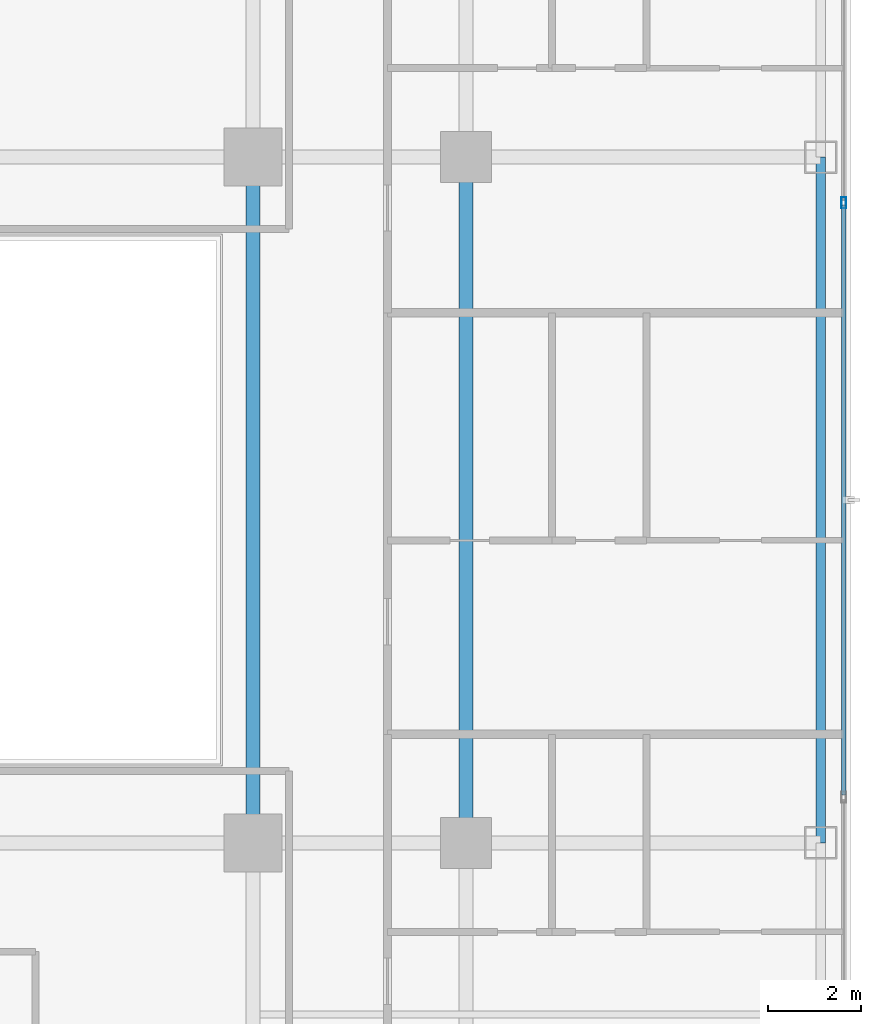
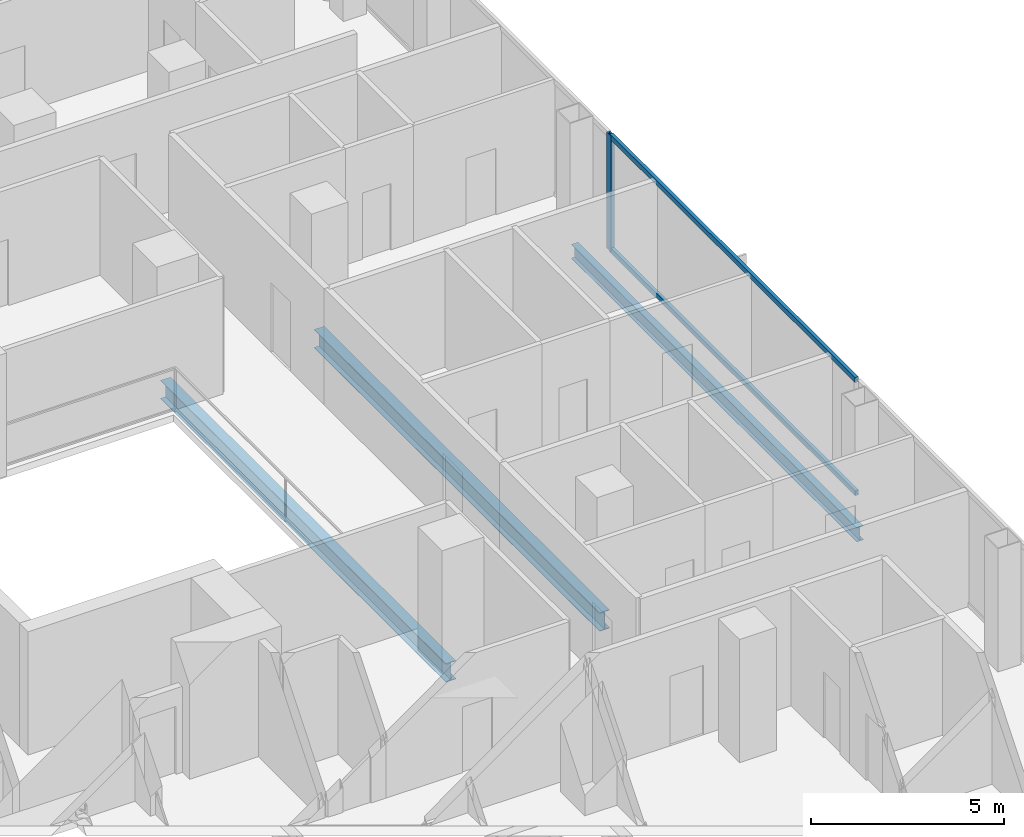
# One storey, part 8 of 29: 3 beams, 3 members, 1 element without a shape of its own.
"""IFC4 building model written with IfcOpenShell, lengths in metres."""

from ifc_helpers import new_model, si_unit, direction, frame, origin, origin_2d, place, context, subcontext, project, spatial, hollow_rectangle, i_section, extrude, material, layer, layer_set, material_profile, profile_set, type_object, element, aggregate, save


model = new_model("IFC4")

# Units and contexts
model_context = context("Model", 3, precision=1e-05, world=origin(), true_north=direction((0.0, 1.0)))
body_context = subcontext(model_context, "Body", "Model", "MODEL_VIEW")
ifc_project = project(units=[si_unit("LENGTHUNIT", "METRE"), si_unit("AREAUNIT", "SQUARE_METRE"), si_unit("VOLUMEUNIT", "CUBIC_METRE"), si_unit("PLANEANGLEUNIT", "RADIAN"), si_unit("MASSUNIT", "GRAM", prefix="KILO")], contexts=[model_context])

# Site, building, storey
site_placement = place(None, origin())
site = spatial("IfcSite", under=ifc_project, at=site_placement, CompositionType="ELEMENT")
building_placement = place(site_placement, origin())
building = spatial("IfcBuilding", under=site, at=building_placement, Name="Khorvyn Point Tower", CompositionType="ELEMENT")
storey_placement = place(building_placement, frame((0.0, 0.0, 144.60009765625)))
storey = spatial("IfcBuildingStorey", under=building, at=storey_placement, Name="L36", CompositionType="ELEMENT", Elevation=144.60009765625)

# Curtain wall, members
ifc_material_1 = material(Name="Anodised aluminium 6063-T6 and laminated Low-E glass", Category="aluminium")
ifc_layer = layer(ifc_material_1, 0.18994140625)
ifc_layer_set = layer_set([ifc_layer], Name="Stick-Built Acoustic Curtain Wall CW-SYS-03")
curtain_wall_type = type_object("IfcCurtainWallType", Name="Stick-Built Acoustic Curtain Wall CW-SYS-03", PredefinedType="NOTDEFINED", material=ifc_layer_set)
curtain_wall_placement = place(storey_placement, origin())
curtain_wall = element("IfcCurtainWall", 1, at=curtain_wall_placement, inside=storey, type_object=curtain_wall_type, Name="Curtain Wall", PredefinedType="NOTDEFINED")
ifc_material_2 = material(Name="Anodised aluminium 6063-T6", Category="aluminium")
ifc_material_profile_1 = material_profile(ifc_material_2, hollow_rectangle(XDim=0.10009765625, YDim=0.239990234375, WallThickness=0.0048828125, at=origin_2d()))
ifc_profile_set_1 = profile_set([ifc_material_profile_1], Name="Anodised aluminium 6063-T6 ALU-MUL-100x240")
member_type_1 = type_object("IfcMemberType", Name="Anodised Aluminium 6063-T6 Mullion ALU-MUL-100x240", PredefinedType="MULLION", material=ifc_profile_set_1)
member_1_placement = place(storey_placement, frame((27.550048828125, 6.416748046875, 0.0), z_axis=(0.0, 0.0, 1.0), x_axis=(1.0, 0.0, 0.0)))
member_1 = element("IfcMember", 2, at=member_1_placement, type_object=member_type_1, Name="Transom", PredefinedType="MULLION", context=body_context, shape_type="SweptSolid", body=[
    extrude(hollow_rectangle(XDim=0.10009765625, YDim=0.239990234375, WallThickness=0.0048828125, at=origin_2d()), origin(), (0.0, 0.0, 1.0), 3.679931640625),
])
ifc_material_profile_2 = material_profile(ifc_material_2, hollow_rectangle(XDim=0.10009765625, YDim=0.159912109375, WallThickness=0.00439453125, at=origin_2d()))
ifc_profile_set_2 = profile_set([ifc_material_profile_2], Name="Anodised aluminium 6063-T6 ALU-TRN-100x160")
member_type_2 = type_object("IfcMemberType", Name="Anodised Aluminium 6063-T6 Transom ALU-TRN-100x160", PredefinedType="USERDEFINED", material=ifc_profile_set_2)
member_2_placement = place(storey_placement, frame((27.550048828125, 6.36669921875, 0.0498046875), z_axis=(0.0, -1.0, 0.0), x_axis=(1.0, 0.0, 0.0)))
member_2 = element("IfcMember", 3, at=member_2_placement, type_object=member_type_2, Name="Transom", ObjectType="TRANSOM", PredefinedType="USERDEFINED", context=body_context, shape_type="SweptSolid", body=[
    extrude(hollow_rectangle(XDim=0.10009765625, YDim=0.159912109375, WallThickness=0.00439453125, at=origin_2d()), origin(), (0.0, 0.0, 1.0), 12.7333984375),
])
member_3_placement = place(storey_placement, frame((27.550048828125, 6.36669921875, 3.6298828125), z_axis=(0.0, -1.0, 0.0), x_axis=(1.0, 0.0, 0.0)))
member_3 = element("IfcMember", 4, at=member_3_placement, type_object=member_type_2, Name="Transom", ObjectType="TRANSOM", PredefinedType="USERDEFINED", context=body_context, shape_type="SweptSolid", body=[
    extrude(hollow_rectangle(XDim=0.10009765625, YDim=0.159912109375, WallThickness=0.00439453125, at=origin_2d()), origin(), (0.0, 0.0, 1.0), 12.7333984375),
])
aggregate(curtain_wall, [member_1, member_2, member_3])

# Beams
ifc_material_3 = material(Name="Steel S355", Category="steel")
ifc_material_profile_3 = material_profile(ifc_material_3, i_section(OverallWidth=0.300048828125, OverallDepth=0.587890625, WebThickness=0.011962890625, FlangeThickness=0.02001953125, at=origin_2d()))
ifc_profile_set_3 = profile_set([ifc_material_profile_3], Name="Steel S355 H588x300x12x20")
beam_type_1 = type_object("IfcBeamType", Name="Steel S355 Beam H588x300x12x20", PredefinedType="BEAM", material=ifc_profile_set_3)
for number, where, z_axis, x_axis, name in (
    (5, (14.800048828125, -7.39990234375, -0.51416015625), (0.0, 1.0, 0.0), (-1.0, 0.0, 0.0), "Beam"),
    (6, (19.39990234375, -7.39990234375, -0.51416015625), (0.0, 1.0, 0.0), (-1.0, 0.0, 0.0), "Beam"),
):
    element("IfcBeam", number, at=place(storey_placement, frame(where, z_axis=z_axis, x_axis=x_axis)), inside=storey, type_object=beam_type_1, Name=name, PredefinedType="BEAM", context=body_context, shape_type="SweptSolid", body=[
        extrude(i_section(OverallWidth=0.300048828125, OverallDepth=0.587890625, WebThickness=0.011962890625, FlangeThickness=0.02001953125, at=origin_2d()), origin(), (0.0, 0.0, 1.0), 14.7998046875),
    ])
ifc_material_profile_4 = material_profile(ifc_material_3, i_section(OverallWidth=0.199951171875, OverallDepth=0.449951171875, WebThickness=0.009033203125, FlangeThickness=0.013916015625, at=origin_2d()))
ifc_profile_set_4 = profile_set([ifc_material_profile_4], Name="Steel S355 H450x200x9x14")
beam_type_2 = type_object("IfcBeamType", Name="Steel S355 Spandrel H450x200x9x14", PredefinedType="SPANDREL", material=ifc_profile_set_4)
beam_placement = place(storey_placement, frame((27.050048828125, -7.39990234375, -0.445068359375), z_axis=(0.0, 1.0, 0.0), x_axis=(-1.0, 0.0, 0.0)))
element("IfcBeam", 7, at=beam_placement, inside=storey, type_object=beam_type_2, Name="Beam", PredefinedType="SPANDREL", context=body_context, shape_type="SweptSolid", body=[
    extrude(i_section(OverallWidth=0.199951171875, OverallDepth=0.449951171875, WebThickness=0.009033203125, FlangeThickness=0.013916015625, at=origin_2d()), origin(), (0.0, 0.0, 1.0), 14.7998046875),
])

save(model, "model.ifc")
